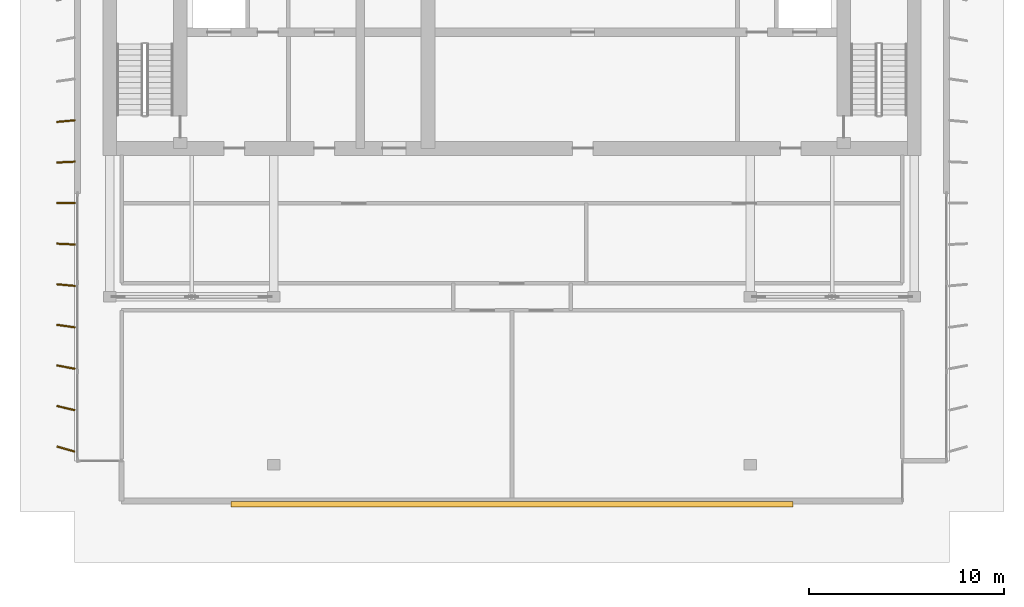
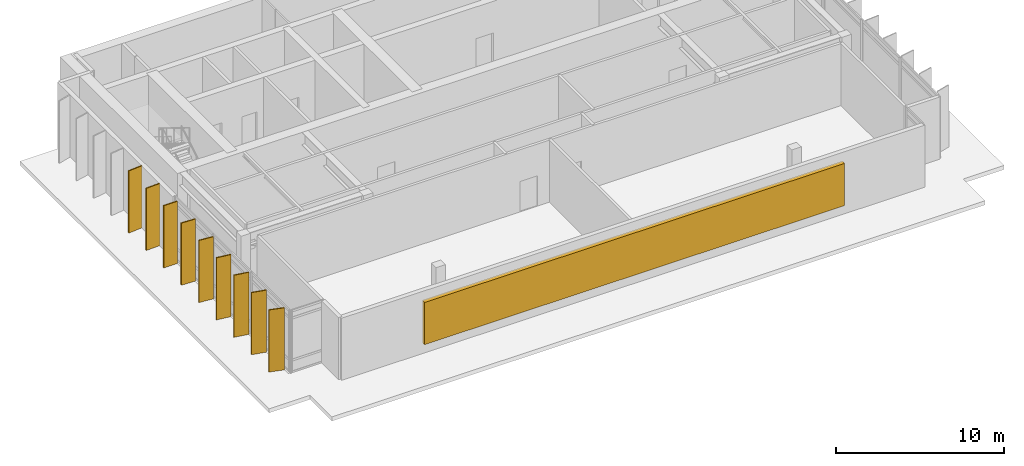
# One storey, part 8 of 10: 10 shading devices.
"""IFC4 building model written with IfcOpenShell, lengths in metres."""

from ifc_helpers import new_model, si_unit, direction, frame, origin, origin_2d, place, context, subcontext, project, spatial, rectangle, extrude, material, layer, layer_set, material_profile, profile_set, type_object, element, save


model = new_model("IFC4")

# Units and contexts
model_context = context("Model", 3, precision=1e-05, world=origin(), true_north=direction((0.0, 1.0)))
body_context = subcontext(model_context, "Body", "Model", "MODEL_VIEW")
ifc_project = project(units=[si_unit("LENGTHUNIT", "METRE"), si_unit("AREAUNIT", "SQUARE_METRE"), si_unit("VOLUMEUNIT", "CUBIC_METRE"), si_unit("PLANEANGLEUNIT", "RADIAN"), si_unit("MASSUNIT", "GRAM", prefix="KILO")], contexts=[model_context])

# Site, building, storey
site_placement = place(None, origin())
site = spatial("IfcSite", under=ifc_project, at=site_placement, CompositionType="ELEMENT")
building_placement = place(site_placement, origin())
building = spatial("IfcBuilding", under=site, at=building_placement, Name="Caelmar Bay Residences", CompositionType="ELEMENT")
storey_placement = place(building_placement, frame((0.0, 0.0, 295.60009765625)))
storey = spatial("IfcBuildingStorey", under=building, at=storey_placement, Name="L81", CompositionType="ELEMENT", Elevation=295.60009765625)

# Shading devices
ifc_material = material(Name="Anodised architectural bronze aluminium 6063-T6", Category="aluminium")
ifc_material_profile = material_profile(ifc_material, rectangle(XDim=0.074951171875, YDim=0.949951171875, at=origin_2d()), Name="BRONZE-FIN-75X950")
ifc_profile_set = profile_set([ifc_material_profile], Name="Anodised architectural bronze aluminium 6063-T6")
shading_device_type_1 = type_object("IfcShadingDeviceType", Name="SHD-FIN-950", PredefinedType="USERDEFINED", material=ifc_profile_set)
for number, where, z_axis, x_axis, name in (
    (1, (16.050048828125, 21.60009765625, 0.0), (0.0, 0.0, 1.0), (0.275637355817, 0.961261695938, 0.0), "L81 West Bronze Solar Fin 1"),
    (2, (16.050048828125, 23.699951171875, 0.0), (0.0, 0.0, 1.0), (0.230559260896, 0.973058285621, 0.0), "L81 West Bronze Solar Fin 2"),
    (3, (16.050048828125, 25.800048828125, 0.0), (0.0, 0.0, 1.0), (0.185152095101, 0.982709876657, 0.0), "L81 West Bronze Solar Fin 3"),
    (4, (16.050048828125, 27.89990234375, 0.0), (0.0, 0.0, 1.0), (0.13917310096, 0.990268068742, 0.0), "L81 West Bronze Solar Fin 4"),
    (5, (16.050048828125, 30.0, 0.0), (0.0, 0.0, 1.0), (0.092891934994, 0.995676196569, 0.0), "L81 West Bronze Solar Fin 5"),
    (6, (16.050048828125, 32.10009765625, 0.0), (0.0, 0.0, 1.0), (0.046583426761, 0.998914402915, 0.0), "L81 West Bronze Solar Fin 6"),
    (7, (16.050048828125, 34.199951171875, 0.0), (0.0, 0.0, 1.0), (0.0, 1.0, 0.0), "L81 West Bronze Solar Fin 7"),
    (8, (16.050048828125, 36.300048828125, 0.0), (0.0, 0.0, 1.0), (-0.046583426761, 0.998914402915, 0.0), "L81 West Bronze Solar Fin 8"),
    (9, (16.050048828125, 38.39990234375, 0.0), (0.0, 0.0, 1.0), (-0.092891934994, 0.995676196569, 0.0), "L81 West Bronze Solar Fin 9"),
):
    element("IfcShadingDevice", number, at=place(storey_placement, frame(where, z_axis=z_axis, x_axis=x_axis)), inside=storey, type_object=shading_device_type_1, Name=name, ObjectType="FIN", PredefinedType="USERDEFINED", context=body_context, shape_type="SweptSolid", body=[
        extrude(rectangle(XDim=0.074951171875, YDim=0.949951171875, at=origin_2d()), origin(), (0.0, 0.0, 1.0), 4.5),
    ])
ifc_layer = layer(ifc_material, 0.219970703125)
ifc_layer_set = layer_set([ifc_layer], Name="Anodised architectural bronze aluminium 6063-T6")
shading_device_type_2 = type_object("IfcShadingDeviceType", Name="SHD-LVR-300", PredefinedType="JALOUSIE", material=ifc_layer_set)
shading_device_placement = place(storey_placement, frame((38.89990234375, 18.780029296875, 0.719970703125), z_axis=(0.0, 0.0, 1.0), x_axis=(1.0, 0.0, 0.0)))
element("IfcShadingDevice", 10, at=shading_device_placement, inside=storey, type_object=shading_device_type_2, Name="L81 South Acoustic Storm Louvre", PredefinedType="JALOUSIE", context=body_context, shape_type="SweptSolid", body=[
    extrude(rectangle(XDim=28.800048828125, YDim=0.280029296875, at=origin_2d()), origin(), (0.0, 0.0, 1.0), 3.06005859375),
])

save(model, "model.ifc")
